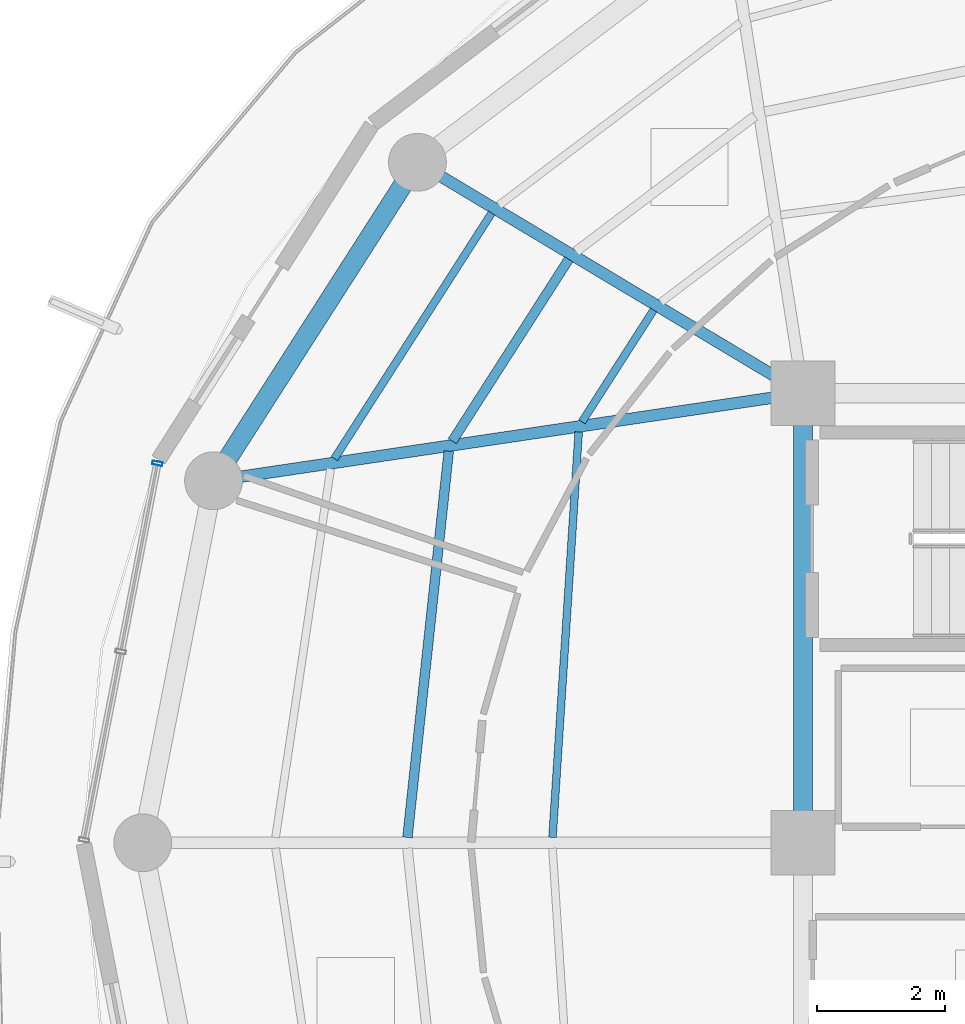
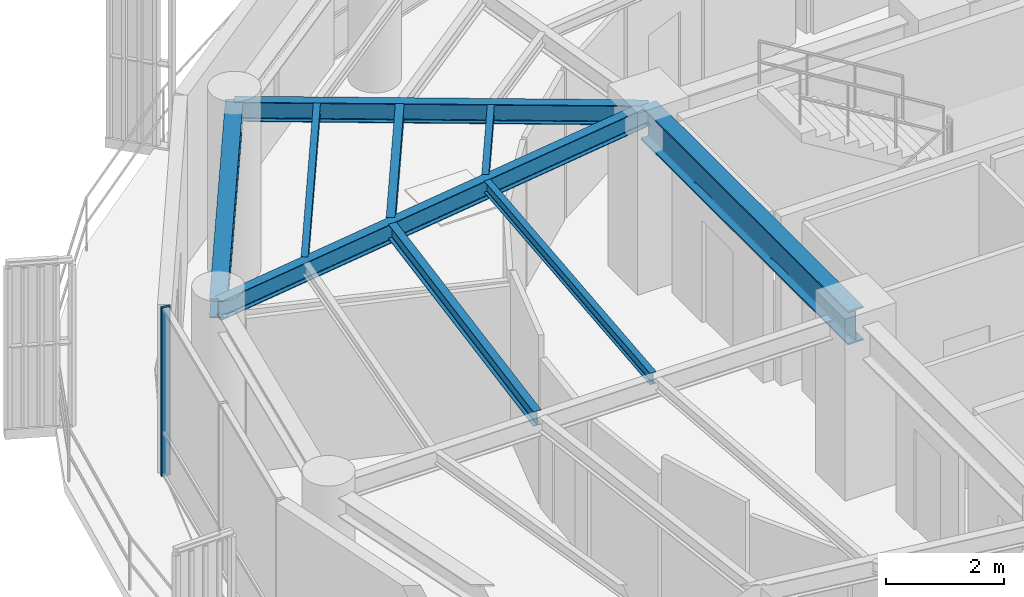
# One storey, part 8 of 23: 9 beams, 1 member, 1 element without a shape of its own.
"""IFC4 building model written with IfcOpenShell, lengths in metres."""

from ifc_helpers import new_model, si_unit, direction, frame, origin, origin_2d, place, context, subcontext, project, spatial, hollow_rectangle, i_section, extrude, material, layer, layer_set, material_profile, profile_set, type_object, element, aggregate, save


model = new_model("IFC4")

# Units and contexts
model_context = context("Model", 3, precision=1e-05, world=origin(), true_north=direction((0.0, 1.0)))
body_context = subcontext(model_context, "Body", "Model", "MODEL_VIEW")
ifc_project = project(units=[si_unit("LENGTHUNIT", "METRE"), si_unit("AREAUNIT", "SQUARE_METRE"), si_unit("VOLUMEUNIT", "CUBIC_METRE"), si_unit("PLANEANGLEUNIT", "RADIAN"), si_unit("MASSUNIT", "GRAM", prefix="KILO")], contexts=[model_context])

# Site, building, storey
site_placement = place(None, origin())
site = spatial("IfcSite", under=ifc_project, at=site_placement, CompositionType="ELEMENT")
building_placement = place(site_placement, origin())
building = spatial("IfcBuilding", under=site, at=building_placement, Name="Kelanora Arch Commons", CompositionType="ELEMENT")
storey_placement = place(building_placement, frame((0.0, 0.0, 282.449951171875)))
storey = spatial("IfcBuildingStorey", under=building, at=storey_placement, Name="L72", CompositionType="ELEMENT", Elevation=282.449951171875)

# Beams
ifc_material_1 = material(Name="Steel S355", Category="steel")
ifc_material_profile_1 = material_profile(ifc_material_1, i_section(OverallWidth=0.300048828125, OverallDepth=0.699951171875, WebThickness=0.01708984375, FlangeThickness=0.031982421875, FilletRadius=0.027099609375, at=origin_2d()), Name="HEB700")
ifc_profile_set_1 = profile_set([ifc_material_profile_1], Name="Steel S355")
beam_type_1 = type_object("IfcBeamType", Name="BM-CORE-HDR", PredefinedType="BEAM", material=ifc_profile_set_1)
beam_1_placement = place(storey_placement, frame((66.0, 65.0, 3.14013671875), z_axis=(0.0, -1.0, 0.0), x_axis=(1.0, 0.0, 0.0)))
element("IfcBeam", 1, at=beam_1_placement, inside=storey, type_object=beam_type_1, Name="Core Header Beam 08 L72", PredefinedType="BEAM", context=body_context, shape_type="SweptSolid", body=[
    extrude(i_section(OverallWidth=0.300048828125, OverallDepth=0.699951171875, WebThickness=0.01708984375, FlangeThickness=0.031982421875, FilletRadius=0.027099609375, at=origin_2d()), origin(), (0.0, 0.0, 1.0), 7.0),
])
ifc_material_profile_2 = material_profile(ifc_material_1, i_section(OverallWidth=0.14990234375, OverallDepth=0.300048828125, WebThickness=0.007080078125, FlangeThickness=0.0107421875, FilletRadius=0.014892578125, at=origin_2d()), Name="IPE300")
ifc_profile_set_2 = profile_set([ifc_material_profile_2], Name="Steel S355")
beam_type_2 = type_object("IfcBeamType", Name="BM-JST-01", PredefinedType="JOIST", material=ifc_profile_set_2)
beam_2_placement = place(storey_placement, frame((62.352294921875, 67.084228515625, 3.340087890625), z_axis=(-0.539321586177, -0.842099891155, 0.0), x_axis=(0.842099891155, -0.539321586177, 0.0)))
element("IfcBeam", 2, at=beam_2_placement, inside=storey, type_object=beam_type_2, Name="Secondary Chord Joist BJB-14 L72", PredefinedType="JOIST", context=body_context, shape_type="SweptSolid", body=[
    extrude(i_section(OverallWidth=0.14990234375, OverallDepth=0.300048828125, WebThickness=0.007080078125, FlangeThickness=0.0107421875, FilletRadius=0.014892578125, at=origin_2d()), origin(), (0.0, 0.0, 1.0), 3.361572265625),
])
beam_3_placement = place(storey_placement, frame((60.484375, 64.097412109375, 3.340087890625), z_axis=(-0.106380594087, -0.994325484538, 0.0), x_axis=(0.994325484538, -0.106380594087, 0.0)))
element("IfcBeam", 3, at=beam_3_placement, inside=storey, type_object=beam_type_2, Name="Secondary Chord Joist BJB-16 L72", PredefinedType="JOIST", context=body_context, shape_type="SweptSolid", body=[
    extrude(i_section(OverallWidth=0.14990234375, OverallDepth=0.300048828125, WebThickness=0.007080078125, FlangeThickness=0.0107421875, FilletRadius=0.014892578125, at=origin_2d()), origin(), (0.0, 0.0, 1.0), 6.04736328125),
])
ifc_material_profile_3 = material_profile(ifc_material_1, i_section(OverallWidth=0.1201171875, OverallDepth=0.239990234375, WebThickness=0.006103515625, FlangeThickness=0.009765625, FilletRadius=0.014892578125, at=origin_2d()), Name="IPE240")
ifc_profile_set_3 = profile_set([ifc_material_profile_3], Name="Steel S355")
beam_type_3 = type_object("IfcBeamType", Name="BM-JST-02", PredefinedType="JOIST", material=ifc_profile_set_3)
beam_4_placement = place(storey_placement, frame((63.6728515625, 66.293701171875, 3.3701171875), z_axis=(-0.539311810315, -0.842106152011, 0.0), x_axis=(0.842106152011, -0.539311810315, 0.0)))
element("IfcBeam", 4, at=beam_4_placement, inside=storey, type_object=beam_type_3, Name="Secondary Chord Joist BJA-14 L72", PredefinedType="JOIST", context=body_context, shape_type="SweptSolid", body=[
    extrude(i_section(OverallWidth=0.1201171875, OverallDepth=0.239990234375, WebThickness=0.006103515625, FlangeThickness=0.009765625, FilletRadius=0.014892578125, at=origin_2d()), origin(), (0.0, 0.0, 1.0), 2.06640625),
])
beam_5_placement = place(storey_placement, frame((61.151611328125, 67.802978515625, 3.3701171875), z_axis=(-0.539288735289, -0.842120929552, 0.0), x_axis=(0.842120929552, -0.539288735289, 0.0)))
element("IfcBeam", 5, at=beam_5_placement, inside=storey, type_object=beam_type_3, Name="Secondary Chord Joist BJC-14 L72", PredefinedType="JOIST", context=body_context, shape_type="SweptSolid", body=[
    extrude(i_section(OverallWidth=0.1201171875, OverallDepth=0.239990234375, WebThickness=0.006103515625, FlangeThickness=0.009765625, FilletRadius=0.014892578125, at=origin_2d()), origin(), (0.0, 0.0, 1.0), 4.538818359375),
])
beam_6_placement = place(storey_placement, frame((62.507080078125, 64.39697265625, 3.3701171875), z_axis=(-0.064495107978, -0.99791802321, 0.0), x_axis=(0.99791802321, -0.064495107978, 0.0)))
element("IfcBeam", 6, at=beam_6_placement, inside=storey, type_object=beam_type_3, Name="Secondary Chord Joist BJA-16 L72", PredefinedType="JOIST", context=body_context, shape_type="SweptSolid", body=[
    extrude(i_section(OverallWidth=0.1201171875, OverallDepth=0.239990234375, WebThickness=0.006103515625, FlangeThickness=0.009765625, FilletRadius=0.014892578125, at=origin_2d()), origin(), (0.0, 0.0, 1.0), 6.325439453125),
])
ifc_material_profile_4 = material_profile(ifc_material_1, i_section(OverallWidth=0.179931640625, OverallDepth=0.39990234375, WebThickness=0.008544921875, FlangeThickness=0.013427734375, FilletRadius=0.02099609375, at=origin_2d()), Name="IPE400")
ifc_profile_set_4 = profile_set([ifc_material_profile_4], Name="Steel S355")
beam_type_4 = type_object("IfcBeamType", Name="BM-RAD-Z5", PredefinedType="BEAM", material=ifc_profile_set_4)
beam_7_placement = place(storey_placement, frame((66.0, 65.0, 3.2900390625), z_axis=(-0.858062005744, 0.513546097541, 0.0), x_axis=(-0.513546097541, -0.858062005744, 0.0)))
element("IfcBeam", 7, at=beam_7_placement, inside=storey, type_object=beam_type_4, Name="Radial Floor Girder BR-14 L72", PredefinedType="BEAM", context=body_context, shape_type="SweptSolid", body=[
    extrude(i_section(OverallWidth=0.179931640625, OverallDepth=0.39990234375, WebThickness=0.008544921875, FlangeThickness=0.013427734375, FilletRadius=0.02099609375, at=origin_2d()), origin(), (0.0, 0.0, 1.0), 6.99658203125),
])
beam_8_placement = place(storey_placement, frame((66.0, 65.0, 3.2900390625), z_axis=(-0.989142485564, -0.146959665395, 0.0), x_axis=(0.146959665395, -0.989142485564, 0.0)))
element("IfcBeam", 8, at=beam_8_placement, inside=storey, type_object=beam_type_4, Name="Radial Floor Girder BR-16 L72", PredefinedType="BEAM", context=body_context, shape_type="SweptSolid", body=[
    extrude(i_section(OverallWidth=0.179931640625, OverallDepth=0.39990234375, WebThickness=0.008544921875, FlangeThickness=0.013427734375, FilletRadius=0.02099609375, at=origin_2d()), origin(), (0.0, 0.0, 1.0), 9.2783203125),
])
ifc_material_profile_5 = material_profile(ifc_material_1, i_section(OverallWidth=0.300048828125, OverallDepth=0.39990234375, WebThickness=0.013427734375, FlangeThickness=0.02392578125, FilletRadius=0.027099609375, at=origin_2d()), Name="HEB400")
ifc_profile_set_5 = profile_set([ifc_material_profile_5], Name="Steel S355")
beam_type_5 = type_object("IfcBeamType", Name="BM-SPN-Z4", PredefinedType="SPANDREL", material=ifc_profile_set_5)
beam_9_placement = place(storey_placement, frame((59.99658203125, 68.593017578125, 3.2900390625), z_axis=(-0.539280851353, -0.842125978322, 0.0), x_axis=(0.842125978322, -0.539280851353, 0.0)))
element("IfcBeam", 9, at=beam_9_placement, inside=storey, type_object=beam_type_5, Name="Perimeter Spandrel Beam BS-14 L72", PredefinedType="SPANDREL", context=body_context, shape_type="SweptSolid", body=[
    extrude(i_section(OverallWidth=0.300048828125, OverallDepth=0.39990234375, WebThickness=0.013427734375, FlangeThickness=0.02392578125, FilletRadius=0.027099609375, at=origin_2d()), origin(), (0.0, 0.0, 1.0), 5.8857421875),
])

# Curtain wall, member
ifc_material_2 = material(Name="Terracotta ceramic-fritted low-E glass and aluminium", Category="masonry")
ifc_layer = layer(ifc_material_2, 0.18994140625)
ifc_layer_set = layer_set([ifc_layer], Name="Terracotta ceramic-fritted low-E glass and aluminium")
curtain_wall_type = type_object("IfcCurtainWallType", Name="CW-SYS-03", PredefinedType="NOTDEFINED", material=ifc_layer_set)
curtain_wall_placement = place(storey_placement, origin())
curtain_wall = element("IfcCurtainWall", 10, at=curtain_wall_placement, inside=storey, type_object=curtain_wall_type, Name="Unitised Curtain Wall L72-B08", PredefinedType="NOTDEFINED")
ifc_material_3 = material(Name="Powder-coated aluminium terracotta", Category="masonry")
ifc_material_profile_6 = material_profile(ifc_material_3, hollow_rectangle(XDim=0.159912109375, YDim=0.06005859375, WallThickness=0.0048828125, InnerFilletRadius=0.0048828125, OuterFilletRadius=0.010009765625, at=origin_2d()), Name="CWM160x60")
ifc_profile_set_6 = profile_set([ifc_material_profile_6], Name="Powder-coated aluminium terracotta")
member_type = type_object("IfcMemberType", Name="CWM-STD", PredefinedType="MULLION", material=ifc_profile_set_6)
member_placement = place(storey_placement, frame((55.94921875, 63.906982421875, 0.0), z_axis=(0.0, 0.0, 1.0), x_axis=(0.981595542501, -0.190971701941, 0.0)))
member = element("IfcMember", 11, at=member_placement, type_object=member_type, Name="CW-03 mullion 1", PredefinedType="MULLION", context=body_context, shape_type="SweptSolid", body=[
    extrude(hollow_rectangle(XDim=0.159912109375, YDim=0.06005859375, WallThickness=0.0048828125, InnerFilletRadius=0.0048828125, OuterFilletRadius=0.010009765625, at=origin_2d()), origin(), (0.0, 0.0, 1.0), 3.47509765625),
])
aggregate(curtain_wall, [member])

save(model, "model.ifc")
